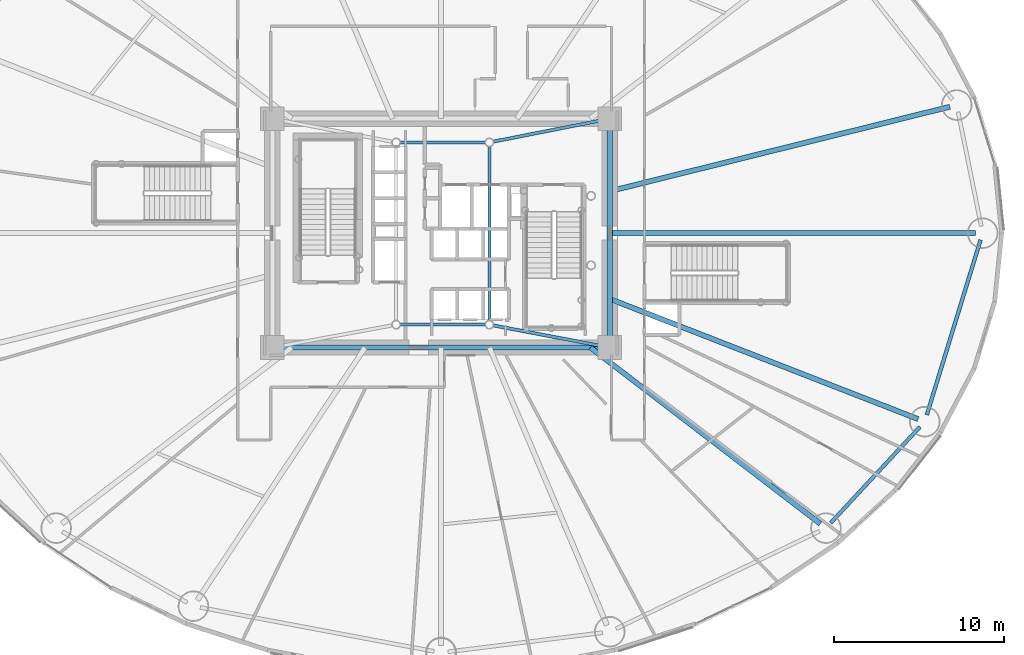
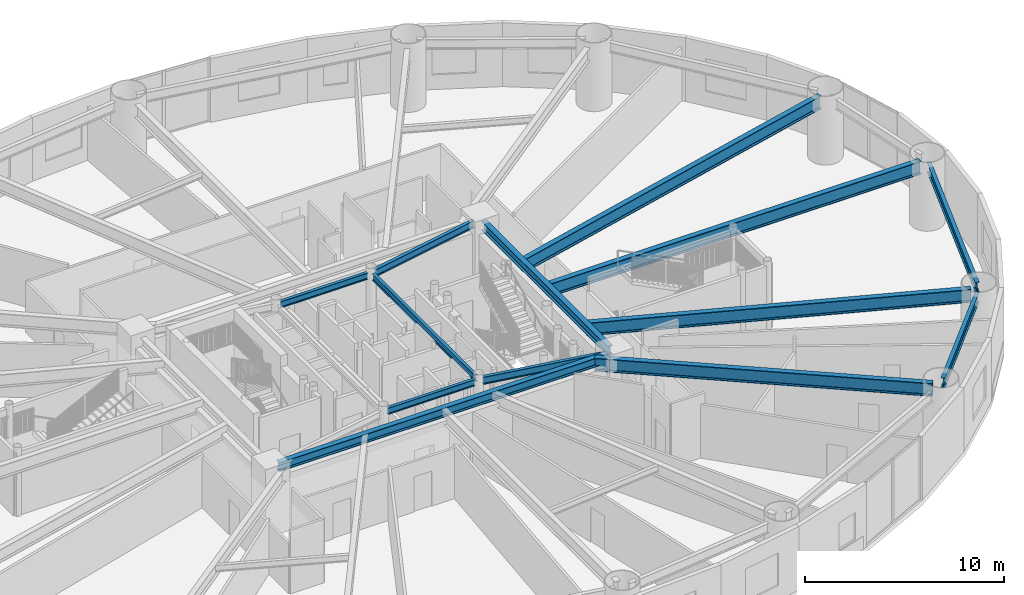
# One storey, part 7 of 27: 13 beams.
"""IFC4 building model written with IfcOpenShell, lengths in metres."""

from ifc_helpers import new_model, si_unit, direction, frame, origin, origin_2d, place, context, subcontext, project, spatial, i_section, extrude, material, material_profile, profile_set, type_object, element, save


model = new_model("IFC4")

# Units and contexts
model_context = context("Model", 3, precision=1e-05, world=origin(), true_north=direction((0.0, 1.0)))
body_context = subcontext(model_context, "Body", "Model", "MODEL_VIEW")
ifc_project = project(units=[si_unit("LENGTHUNIT", "METRE"), si_unit("AREAUNIT", "SQUARE_METRE"), si_unit("VOLUMEUNIT", "CUBIC_METRE"), si_unit("PLANEANGLEUNIT", "RADIAN"), si_unit("MASSUNIT", "GRAM", prefix="KILO")], contexts=[model_context])

# Site, building, storey
site_placement = place(None, origin())
site = spatial("IfcSite", under=ifc_project, at=site_placement, CompositionType="ELEMENT")
building_placement = place(site_placement, origin())
building = spatial("IfcBuilding", under=site, at=building_placement, Name="Linh Dai School and Residence Tower", CompositionType="ELEMENT")
storey_placement = place(building_placement, frame((0.0, 0.0, 18.60009765625)))
storey = spatial("IfcBuildingStorey", under=building, at=storey_placement, Name="L04", CompositionType="ELEMENT", Elevation=18.60009765625)

# Beams
ifc_material = material(Name="Structural Steel S355JR", Category="steel")
ifc_material_profile_1 = material_profile(ifc_material, i_section(OverallWidth=0.219970703125, OverallDepth=0.60009765625, WebThickness=0.011962890625, FlangeThickness=0.01904296875, FilletRadius=0.02392578125, at=origin_2d()), Name="IPE 600")
ifc_profile_set_1 = profile_set([ifc_material_profile_1], Name="Structural Steel S355JR")
beam_type_1 = type_object("IfcBeamType", Name="BM-RB60", PredefinedType="BEAM", material=ifc_profile_set_1)
beam_1_placement = place(storey_placement, frame((58.990966796875, 9.9072265625, 3.599853515625), z_axis=(0.680345653715, 0.73289139132, 0.0), x_axis=(-0.73289139132, 0.680345653715, 0.0)))
element("IfcBeam", 1, at=beam_1_placement, inside=storey, type_object=beam_type_1, Name="L04 Perimeter Elliptical Ring Beam 15", PredefinedType="BEAM", context=body_context, shape_type="SweptSolid", body=[
    extrude(i_section(OverallWidth=0.219970703125, OverallDepth=0.60009765625, WebThickness=0.011962890625, FlangeThickness=0.01904296875, FilletRadius=0.02392578125, at=origin_2d()), origin(), (0.0, 0.0, 1.0), 7.726806640625),
])
beam_2_placement = place(storey_placement, frame((64.656982421875, 16.279541015625, 3.599853515625), z_axis=(0.293626522026, 0.955920219246, 0.0), x_axis=(-0.955920219246, 0.293626522026, 0.0)))
element("IfcBeam", 2, at=beam_2_placement, inside=storey, type_object=beam_type_1, Name="L04 Perimeter Elliptical Ring Beam 16", PredefinedType="BEAM", context=body_context, shape_type="SweptSolid", body=[
    extrude(i_section(OverallWidth=0.219970703125, OverallDepth=0.60009765625, WebThickness=0.011962890625, FlangeThickness=0.01904296875, FilletRadius=0.02392578125, at=origin_2d()), origin(), (0.0, 0.0, 1.0), 10.794921875),
])
ifc_material_profile_2 = material_profile(ifc_material, i_section(OverallWidth=0.300048828125, OverallDepth=0.550048828125, WebThickness=0.014892578125, FlangeThickness=0.029052734375, FilletRadius=0.027099609375, at=origin_2d()), Name="HEB 550")
ifc_profile_set_2 = profile_set([ifc_material_profile_2], Name="Structural Steel S355JR")
beam_type_2 = type_object("IfcBeamType", Name="BM-RG55", PredefinedType="BEAM", material=ifc_profile_set_2)
beam_3_placement = place(storey_placement, frame((26.469970703125, 20.25, 3.625), z_axis=(1.0, 0.0, 0.0), x_axis=(0.0, 1.0, 0.0)))
element("IfcBeam", 3, at=beam_3_placement, inside=storey, type_object=beam_type_2, Name="L04 Core Perimeter Coupling Girder 1", PredefinedType="BEAM", context=body_context, shape_type="SweptSolid", body=[
    extrude(i_section(OverallWidth=0.300048828125, OverallDepth=0.550048828125, WebThickness=0.014892578125, FlangeThickness=0.029052734375, FilletRadius=0.027099609375, at=origin_2d()), origin(), (0.0, 0.0, 1.0), 19.06005859375),
])
beam_4_placement = place(storey_placement, frame((45.949951171875, 20.669921875, 3.625), z_axis=(0.0, 1.0, 0.0), x_axis=(-1.0, 0.0, 0.0)))
element("IfcBeam", 4, at=beam_4_placement, inside=storey, type_object=beam_type_2, Name="L04 Core Perimeter Coupling Girder 2", PredefinedType="BEAM", context=body_context, shape_type="SweptSolid", body=[
    extrude(i_section(OverallWidth=0.300048828125, OverallDepth=0.550048828125, WebThickness=0.014892578125, FlangeThickness=0.029052734375, FilletRadius=0.027099609375, at=origin_2d()), origin(), (0.0, 0.0, 1.0), 12.66015625),
])
ifc_material_profile_3 = material_profile(ifc_material, i_section(OverallWidth=0.300048828125, OverallDepth=0.800048828125, WebThickness=0.017578125, FlangeThickness=0.032958984375, FilletRadius=0.030029296875, at=origin_2d()), Name="HEB 800")
ifc_profile_set_3 = profile_set([ifc_material_profile_3], Name="Structural Steel S355JR")
beam_type_3 = type_object("IfcBeamType", Name="BM-RG8", PredefinedType="BEAM", material=ifc_profile_set_3)
beam_5_placement = place(storey_placement, frame((45.949951171875, 27.0, 3.5), z_axis=(1.0, 0.0, 0.0), x_axis=(0.0, 1.0, 0.0)))
element("IfcBeam", 5, at=beam_5_placement, inside=storey, type_object=beam_type_3, Name="L04 Primary Radial Floor Girder 01", PredefinedType="BEAM", context=body_context, shape_type="SweptSolid", body=[
    extrude(i_section(OverallWidth=0.300048828125, OverallDepth=0.800048828125, WebThickness=0.017578125, FlangeThickness=0.032958984375, FilletRadius=0.030029296875, at=origin_2d()), origin(), (0.0, 0.0, 1.0), 21.580078125),
])
beam_6_placement = place(storey_placement, frame((45.949951171875, 29.47119140625, 3.5), z_axis=(0.970515097282, 0.241040340913, 0.0), x_axis=(-0.241040340913, 0.970515097282, 0.0)))
element("IfcBeam", 6, at=beam_6_placement, inside=storey, type_object=beam_type_3, Name="L04 Primary Radial Floor Girder 02", PredefinedType="BEAM", context=body_context, shape_type="SweptSolid", body=[
    extrude(i_section(OverallWidth=0.300048828125, OverallDepth=0.800048828125, WebThickness=0.017578125, FlangeThickness=0.032958984375, FilletRadius=0.030029296875, at=origin_2d()), origin(), (0.0, 0.0, 1.0), 20.672607421875),
])
beam_7_placement = place(storey_placement, frame((44.807861328125, 20.25, 3.5), z_axis=(0.793713040757, -0.608292371259, 0.0), x_axis=(0.608292371259, 0.793713040757, 0.0)))
element("IfcBeam", 7, at=beam_7_placement, inside=storey, type_object=beam_type_3, Name="L04 Primary Radial Floor Girder 15", PredefinedType="BEAM", context=body_context, shape_type="SweptSolid", body=[
    extrude(i_section(OverallWidth=0.300048828125, OverallDepth=0.800048828125, WebThickness=0.017578125, FlangeThickness=0.032958984375, FilletRadius=0.030029296875, at=origin_2d()), origin(), (0.0, 0.0, 1.0), 17.08935546875),
])
beam_8_placement = place(storey_placement, frame((45.949951171875, 23.12158203125, 3.5), z_axis=(0.931723276589, -0.363169018312, 0.0), x_axis=(0.363169018312, 0.931723276589, 0.0)))
element("IfcBeam", 8, at=beam_8_placement, inside=storey, type_object=beam_type_3, Name="L04 Primary Radial Floor Girder 16", PredefinedType="BEAM", context=body_context, shape_type="SweptSolid", body=[
    extrude(i_section(OverallWidth=0.300048828125, OverallDepth=0.800048828125, WebThickness=0.017578125, FlangeThickness=0.032958984375, FilletRadius=0.030029296875, at=origin_2d()), origin(), (0.0, 0.0, 1.0), 19.525634765625),
])
ifc_material_profile_4 = material_profile(ifc_material, i_section(OverallWidth=0.179931640625, OverallDepth=0.39990234375, WebThickness=0.008544921875, FlangeThickness=0.013427734375, FilletRadius=0.02099609375, at=origin_2d()), Name="IPE 400")
ifc_profile_set_4 = profile_set([ifc_material_profile_4], Name="Structural Steel S355JR")
beam_type_4 = type_object("IfcBeamType", Name="BM-SB40", PredefinedType="BEAM", material=ifc_profile_set_4)
beam_9_placement = place(storey_placement, frame((33.573974609375, 21.60009765625, 3.699951171875), z_axis=(1.0, 0.0, 0.0), x_axis=(0.0, 1.0, 0.0)))
element("IfcBeam", 9, at=beam_9_placement, inside=storey, type_object=beam_type_4, Name="L04 Core Mast Pier Tie Beam 1", PredefinedType="BEAM", context=body_context, shape_type="SweptSolid", body=[
    extrude(i_section(OverallWidth=0.179931640625, OverallDepth=0.39990234375, WebThickness=0.008544921875, FlangeThickness=0.013427734375, FilletRadius=0.02099609375, at=origin_2d()), origin(), (0.0, 0.0, 1.0), 5.052001953125),
])
beam_10_placement = place(storey_placement, frame((38.85009765625, 21.823974609375, 3.699951171875), z_axis=(0.0, 1.0, 0.0), x_axis=(-1.0, 0.0, 0.0)))
element("IfcBeam", 10, at=beam_10_placement, inside=storey, type_object=beam_type_4, Name="L04 Core Mast Pier Tie Beam 2", PredefinedType="BEAM", context=body_context, shape_type="SweptSolid", body=[
    extrude(i_section(OverallWidth=0.179931640625, OverallDepth=0.39990234375, WebThickness=0.008544921875, FlangeThickness=0.013427734375, FilletRadius=0.02099609375, at=origin_2d()), origin(), (0.0, 0.0, 1.0), 10.302001953125),
])
beam_11_placement = place(storey_placement, frame((38.6259765625, 32.35009765625, 3.699951171875), z_axis=(-1.0, 0.0, 0.0), x_axis=(0.0, -1.0, 0.0)))
element("IfcBeam", 11, at=beam_11_placement, inside=storey, type_object=beam_type_4, Name="L04 Core Mast Pier Tie Beam 3", PredefinedType="BEAM", context=body_context, shape_type="SweptSolid", body=[
    extrude(i_section(OverallWidth=0.179931640625, OverallDepth=0.39990234375, WebThickness=0.008544921875, FlangeThickness=0.013427734375, FilletRadius=0.02099609375, at=origin_2d()), origin(), (0.0, 0.0, 1.0), 5.052001953125),
])
ifc_material_profile_5 = material_profile(ifc_material, i_section(OverallWidth=0.18994140625, OverallDepth=0.449951171875, WebThickness=0.009521484375, FlangeThickness=0.0146484375, FilletRadius=0.02099609375, at=origin_2d()), Name="IPE 450")
ifc_profile_set_5 = profile_set([ifc_material_profile_5], Name="Structural Steel S355JR")
beam_type_5 = type_object("IfcBeamType", Name="BM-SB45", PredefinedType="BEAM", material=ifc_profile_set_5)
beam_12_placement = place(storey_placement, frame((45.537353515625, 20.328369140625, 3.6748046875), z_axis=(-0.982397918823, 0.186800238471, 0.0), x_axis=(-0.186800238471, -0.982397918823, 0.0)))
element("IfcBeam", 12, at=beam_12_placement, inside=storey, type_object=beam_type_5, Name="L04 Core Corner-to-Mast Pier Beam 2", PredefinedType="BEAM", context=body_context, shape_type="SweptSolid", body=[
    extrude(i_section(OverallWidth=0.18994140625, OverallDepth=0.449951171875, WebThickness=0.009521484375, FlangeThickness=0.0146484375, FilletRadius=0.02099609375, at=origin_2d()), origin(), (0.0, 0.0, 1.0), 6.583251953125),
])
beam_13_placement = place(storey_placement, frame((45.537841796875, 33.668701171875, 3.6748046875), z_axis=(-0.981108354988, -0.193459028666, 0.0), x_axis=(0.193459028666, -0.981108354988, 0.0)))
element("IfcBeam", 13, at=beam_13_placement, inside=storey, type_object=beam_type_5, Name="L04 Core Corner-to-Mast Pier Beam 3", PredefinedType="BEAM", context=body_context, shape_type="SweptSolid", body=[
    extrude(i_section(OverallWidth=0.18994140625, OverallDepth=0.449951171875, WebThickness=0.009521484375, FlangeThickness=0.0146484375, FilletRadius=0.02099609375, at=origin_2d()), origin(), (0.0, 0.0, 1.0), 6.592529296875),
])

save(model, "model.ifc")
